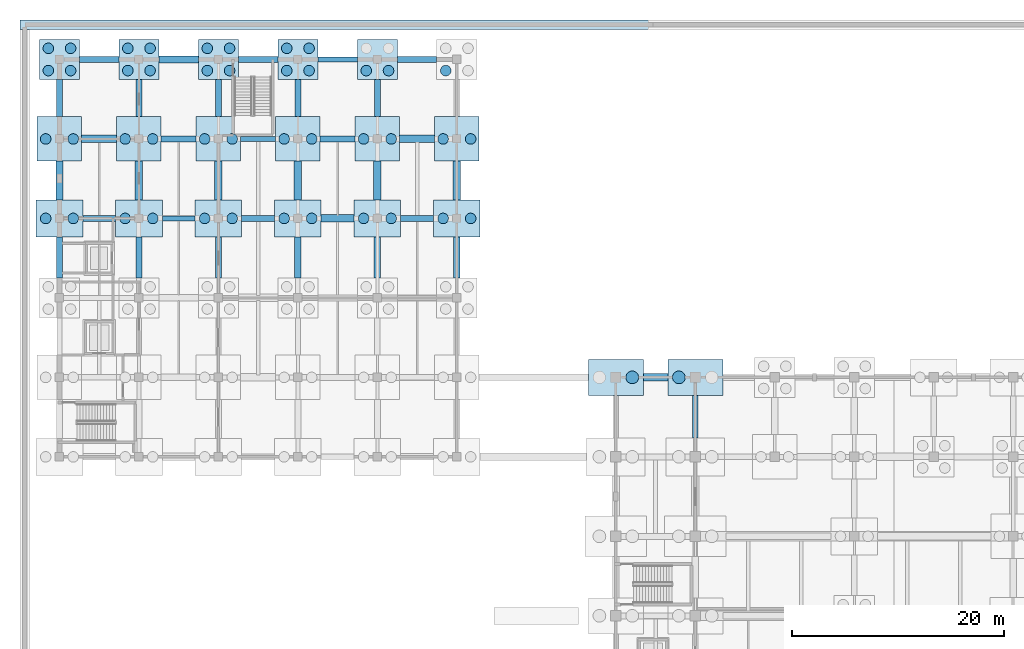
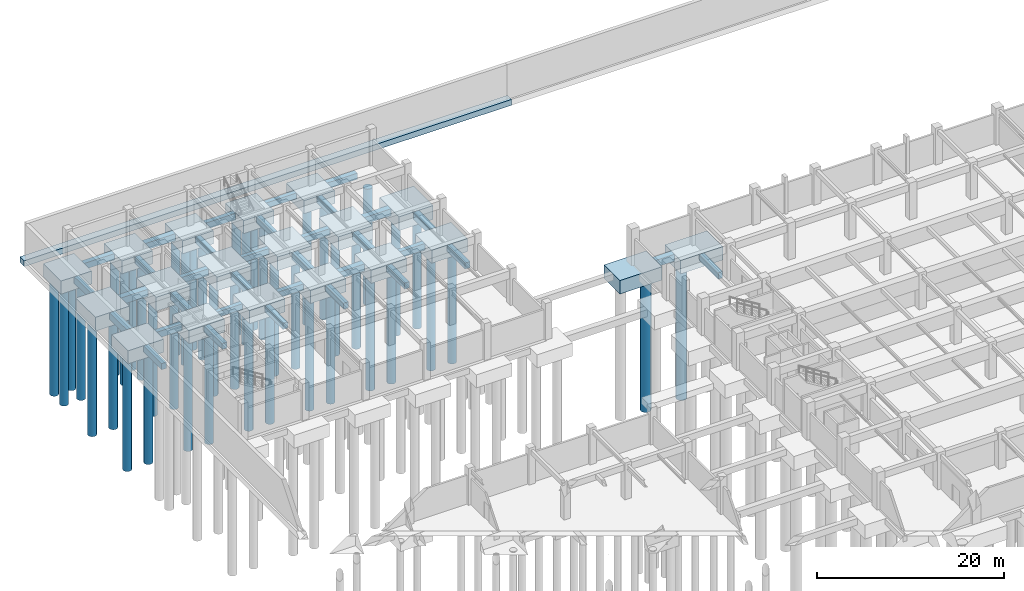
# One storey, part 7 of 38: 54 footings, 45 piles.
"""IFC4 building model written with IfcOpenShell, lengths in metres."""

from ifc_helpers import new_model, si_unit, direction, frame, origin, origin_2d, place, context, subcontext, project, spatial, polyline, rectangle, circle, outline, extrude, material, material_profile, profile_set, type_object, element, save


model = new_model("IFC4")

# Units and contexts
model_context = context("Model", 3, precision=1e-05, world=origin(), true_north=direction((0.0, 1.0)))
body_context = subcontext(model_context, "Body", "Model", "MODEL_VIEW")
ifc_project = project(units=[si_unit("LENGTHUNIT", "METRE"), si_unit("AREAUNIT", "SQUARE_METRE"), si_unit("VOLUMEUNIT", "CUBIC_METRE"), si_unit("PLANEANGLEUNIT", "RADIAN"), si_unit("MASSUNIT", "GRAM", prefix="KILO")], contexts=[model_context])

# Site, building, storey
site_placement = place(None, origin())
site = spatial("IfcSite", under=ifc_project, at=site_placement, CompositionType="ELEMENT")
building_placement = place(site_placement, origin())
building = spatial("IfcBuilding", under=site, at=building_placement, Name="Qasida Concert Hall", CompositionType="ELEMENT")
storey_placement = place(building_placement, frame((0.0, 0.0, -4.800048828125)))
storey = spatial("IfcBuildingStorey", under=building, at=storey_placement, Name="B1", CompositionType="ELEMENT", Elevation=-4.800048828125)

# Footings
ifc_material = material(Name="Concrete C40/50", Category="concrete")
footing_type_1 = type_object("IfcFootingType", Name="FT-GB-1", PredefinedType="FOOTING_BEAM", material=ifc_material)
footing_1_placement = place(storey_placement, frame((0.0, 0.0, -1.169921875)))
element("IfcFooting", 1, at=footing_1_placement, inside=storey, type_object=footing_type_1, Name="Ground tie beam GB-1 152", PredefinedType="FOOTING_BEAM", context=body_context, shape_type="SweptSolid", body=[
    extrude(outline(polyline([(9.699951171875, 97.25), (12.800048828125, 97.25), (12.800048828125, 97.75), (9.699951171875, 97.75), (9.699951171875, 97.25)])), origin(), (0.0, 0.0, 1.0), 0.75),
])
footing_2_placement = place(storey_placement, frame((0.0, 0.0, -1.169921875)))
element("IfcFooting", 2, at=footing_2_placement, inside=storey, type_object=footing_type_1, Name="Ground tie beam GB-1 164", PredefinedType="FOOTING_BEAM", context=body_context, shape_type="SweptSolid", body=[
    extrude(outline(polyline([(17.10009765625, 104.75), (20.39990234375, 104.75), (20.39990234375, 105.25), (17.10009765625, 105.25), (17.10009765625, 104.75)])), origin(), (0.0, 0.0, 1.0), 0.75),
])
footing_3_placement = place(storey_placement, frame((0.0, 0.0, -1.169921875)))
element("IfcFooting", 3, at=footing_3_placement, inside=storey, type_object=footing_type_1, Name="Ground tie beam GB-1 176", PredefinedType="FOOTING_BEAM", context=body_context, shape_type="SweptSolid", body=[
    extrude(outline(polyline([(24.39990234375, 112.25), (28.10009765625, 112.25), (28.10009765625, 112.75), (24.39990234375, 112.75), (24.39990234375, 112.25)])), origin(), (0.0, 0.0, 1.0), 0.75),
])
footing_type_2 = type_object("IfcFootingType", Name="FT-GB-2", PredefinedType="FOOTING_BEAM", material=ifc_material)
footing_4_placement = place(storey_placement, frame((0.0, 0.0, -1.219970703125)))
element("IfcFooting", 4, at=footing_4_placement, inside=storey, type_object=footing_type_2, Name="Ground tie beam GB-2 153", PredefinedType="FOOTING_BEAM", context=body_context, shape_type="SweptSolid", body=[
    extrude(outline(polyline([(17.199951171875, 97.199951171875), (20.300048828125, 97.199951171875), (20.300048828125, 97.800048828125), (17.199951171875, 97.800048828125), (17.199951171875, 97.199951171875)])), origin(), (0.0, 0.0, 1.0), 0.800048828125),
])
footing_5_placement = place(storey_placement, frame((0.0, 0.0, -1.219970703125)))
element("IfcFooting", 5, at=footing_5_placement, inside=storey, type_object=footing_type_2, Name="Ground tie beam GB-2 165", PredefinedType="FOOTING_BEAM", context=body_context, shape_type="SweptSolid", body=[
    extrude(outline(polyline([(24.60009765625, 104.699951171875), (27.89990234375, 104.699951171875), (27.89990234375, 105.300048828125), (24.60009765625, 105.300048828125), (24.60009765625, 104.699951171875)])), origin(), (0.0, 0.0, 1.0), 0.800048828125),
])
footing_6_placement = place(storey_placement, frame((0.0, 0.0, -1.219970703125)))
element("IfcFooting", 6, at=footing_6_placement, inside=storey, type_object=footing_type_2, Name="Ground tie beam GB-2 173", PredefinedType="FOOTING_BEAM", context=body_context, shape_type="SweptSolid", body=[
    extrude(outline(polyline([(1.89990234375, 112.199951171875), (5.60009765625, 112.199951171875), (5.60009765625, 112.800048828125), (1.89990234375, 112.800048828125), (1.89990234375, 112.199951171875)])), origin(), (0.0, 0.0, 1.0), 0.800048828125),
])
footing_7_placement = place(storey_placement, frame((0.0, 0.0, -1.219970703125)))
element("IfcFooting", 7, at=footing_7_placement, inside=storey, type_object=footing_type_2, Name="Ground tie beam GB-2 177", PredefinedType="FOOTING_BEAM", context=body_context, shape_type="SweptSolid", body=[
    extrude(outline(polyline([(31.89990234375, 112.199951171875), (35.60009765625, 112.199951171875), (35.60009765625, 112.800048828125), (31.89990234375, 112.800048828125), (31.89990234375, 112.199951171875)])), origin(), (0.0, 0.0, 1.0), 0.800048828125),
])
footing_8_placement = place(storey_placement, frame((0.0, 0.0, -1.219970703125)))
element("IfcFooting", 8, at=footing_8_placement, inside=storey, type_object=footing_type_2, Name="Ground tie beam GB-2 193", PredefinedType="FOOTING_BEAM", context=body_context, shape_type="SweptSolid", body=[
    extrude(outline(polyline([(-0.300048828125, 91.89990234375), (0.300048828125, 91.89990234375), (0.300048828125, 95.75), (-0.300048828125, 95.75), (-0.300048828125, 91.89990234375)])), origin(), (0.0, 0.0, 1.0), 0.800048828125),
])
footing_9_placement = place(storey_placement, frame((0.0, 0.0, -1.219970703125)))
element("IfcFooting", 9, at=footing_9_placement, inside=storey, type_object=footing_type_2, Name="Ground tie beam GB-2 205", PredefinedType="FOOTING_BEAM", context=body_context, shape_type="SweptSolid", body=[
    extrude(outline(polyline([(7.199951171875, 91.89990234375), (7.800048828125, 91.89990234375), (7.800048828125, 95.75), (7.199951171875, 95.75), (7.199951171875, 91.89990234375)])), origin(), (0.0, 0.0, 1.0), 0.800048828125),
])
footing_10_placement = place(storey_placement, frame((0.0, 0.0, -1.219970703125)))
element("IfcFooting", 10, at=footing_10_placement, inside=storey, type_object=footing_type_2, Name="Ground tie beam GB-2 217", PredefinedType="FOOTING_BEAM", context=body_context, shape_type="SweptSolid", body=[
    extrude(outline(polyline([(14.699951171875, 91.89990234375), (15.300048828125, 91.89990234375), (15.300048828125, 95.75), (14.699951171875, 95.75), (14.699951171875, 91.89990234375)])), origin(), (0.0, 0.0, 1.0), 0.800048828125),
])
footing_11_placement = place(storey_placement, frame((0.0, 0.0, -1.219970703125)))
element("IfcFooting", 11, at=footing_11_placement, inside=storey, type_object=footing_type_2, Name="Ground tie beam GB-2 229", PredefinedType="FOOTING_BEAM", context=body_context, shape_type="SweptSolid", body=[
    extrude(outline(polyline([(22.199951171875, 91.89990234375), (22.800048828125, 91.89990234375), (22.800048828125, 95.75), (22.199951171875, 95.75), (22.199951171875, 91.89990234375)])), origin(), (0.0, 0.0, 1.0), 0.800048828125),
])
footing_12_placement = place(storey_placement, frame((0.0, 0.0, -1.219970703125)))
element("IfcFooting", 12, at=footing_12_placement, inside=storey, type_object=footing_type_2, Name="Ground tie beam GB-2 241", PredefinedType="FOOTING_BEAM", context=body_context, shape_type="SweptSolid", body=[
    extrude(outline(polyline([(29.699951171875, 91.89990234375), (30.300048828125, 91.89990234375), (30.300048828125, 95.75), (29.699951171875, 95.75), (29.699951171875, 91.89990234375)])), origin(), (0.0, 0.0, 1.0), 0.800048828125),
])
footing_13_placement = place(storey_placement, frame((0.0, 0.0, -1.219970703125)))
element("IfcFooting", 13, at=footing_13_placement, inside=storey, type_object=footing_type_2, Name="Ground tie beam GB-2 253", PredefinedType="FOOTING_BEAM", context=body_context, shape_type="SweptSolid", body=[
    extrude(outline(polyline([(37.199951171875, 91.89990234375), (37.800048828125, 91.89990234375), (37.800048828125, 95.75), (37.199951171875, 95.75), (37.199951171875, 91.89990234375)])), origin(), (0.0, 0.0, 1.0), 0.800048828125),
])
footing_type_3 = type_object("IfcFootingType", Name="FT-GB-3", PredefinedType="FOOTING_BEAM", material=ifc_material)
footing_14_placement = place(storey_placement, frame((0.0, 0.0, -1.320068359375)))
element("IfcFooting", 14, at=footing_14_placement, inside=storey, type_object=footing_type_3, Name="Ground tie beam GB-3 126", PredefinedType="FOOTING_BEAM", context=body_context, shape_type="SweptSolid", body=[
    extrude(outline(polyline([(55.10009765625, 82.14990234375), (57.39990234375, 82.14990234375), (57.39990234375, 82.85009765625), (55.10009765625, 82.85009765625), (55.10009765625, 82.14990234375)])), origin(), (0.0, 0.0, 1.0), 0.900146484375),
])
footing_15_placement = place(storey_placement, frame((0.0, 0.0, -1.320068359375)))
element("IfcFooting", 15, at=footing_15_placement, inside=storey, type_object=footing_type_3, Name="Ground tie beam GB-3 154", PredefinedType="FOOTING_BEAM", context=body_context, shape_type="SweptSolid", body=[
    extrude(outline(polyline([(24.699951171875, 97.14990234375), (27.800048828125, 97.14990234375), (27.800048828125, 97.85009765625), (24.699951171875, 97.85009765625), (24.699951171875, 97.14990234375)])), origin(), (0.0, 0.0, 1.0), 0.900146484375),
])
footing_16_placement = place(storey_placement, frame((0.0, 0.0, -1.320068359375)))
element("IfcFooting", 16, at=footing_16_placement, inside=storey, type_object=footing_type_3, Name="Ground tie beam GB-3 162", PredefinedType="FOOTING_BEAM", context=body_context, shape_type="SweptSolid", body=[
    extrude(outline(polyline([(2.10009765625, 104.64990234375), (5.39990234375, 104.64990234375), (5.39990234375, 105.35009765625), (2.10009765625, 105.35009765625), (2.10009765625, 104.64990234375)])), origin(), (0.0, 0.0, 1.0), 0.900146484375),
])
footing_17_placement = place(storey_placement, frame((0.0, 0.0, -1.320068359375)))
element("IfcFooting", 17, at=footing_17_placement, inside=storey, type_object=footing_type_3, Name="Ground tie beam GB-3 166", PredefinedType="FOOTING_BEAM", context=body_context, shape_type="SweptSolid", body=[
    extrude(outline(polyline([(32.10009765625, 104.64990234375), (35.39990234375, 104.64990234375), (35.39990234375, 105.35009765625), (32.10009765625, 105.35009765625), (32.10009765625, 104.64990234375)])), origin(), (0.0, 0.0, 1.0), 0.900146484375),
])
footing_18_placement = place(storey_placement, frame((0.0, 0.0, -1.320068359375)))
element("IfcFooting", 18, at=footing_18_placement, inside=storey, type_object=footing_type_3, Name="Ground tie beam GB-3 174", PredefinedType="FOOTING_BEAM", context=body_context, shape_type="SweptSolid", body=[
    extrude(outline(polyline([(9.39990234375, 112.14990234375), (13.10009765625, 112.14990234375), (13.10009765625, 112.85009765625), (9.39990234375, 112.85009765625), (9.39990234375, 112.14990234375)])), origin(), (0.0, 0.0, 1.0), 0.900146484375),
])
footing_19_placement = place(storey_placement, frame((0.0, 0.0, -1.320068359375)))
element("IfcFooting", 19, at=footing_19_placement, inside=storey, type_object=footing_type_3, Name="Ground tie beam GB-3 194", PredefinedType="FOOTING_BEAM", context=body_context, shape_type="SweptSolid", body=[
    extrude(outline(polyline([(-0.35009765625, 99.25), (0.35009765625, 99.25), (0.35009765625, 102.89990234375), (-0.35009765625, 102.89990234375), (-0.35009765625, 99.25)])), origin(), (0.0, 0.0, 1.0), 0.900146484375),
])
footing_20_placement = place(storey_placement, frame((0.0, 0.0, -1.320068359375)))
element("IfcFooting", 20, at=footing_20_placement, inside=storey, type_object=footing_type_3, Name="Ground tie beam GB-3 206", PredefinedType="FOOTING_BEAM", context=body_context, shape_type="SweptSolid", body=[
    extrude(outline(polyline([(7.14990234375, 99.25), (7.85009765625, 99.25), (7.85009765625, 102.89990234375), (7.14990234375, 102.89990234375), (7.14990234375, 99.25)])), origin(), (0.0, 0.0, 1.0), 0.900146484375),
])
footing_21_placement = place(storey_placement, frame((0.0, 0.0, -1.320068359375)))
element("IfcFooting", 21, at=footing_21_placement, inside=storey, type_object=footing_type_3, Name="Ground tie beam GB-3 218", PredefinedType="FOOTING_BEAM", context=body_context, shape_type="SweptSolid", body=[
    extrude(outline(polyline([(14.64990234375, 99.25), (15.35009765625, 99.25), (15.35009765625, 102.89990234375), (14.64990234375, 102.89990234375), (14.64990234375, 99.25)])), origin(), (0.0, 0.0, 1.0), 0.900146484375),
])
footing_22_placement = place(storey_placement, frame((0.0, 0.0, -1.320068359375)))
element("IfcFooting", 22, at=footing_22_placement, inside=storey, type_object=footing_type_3, Name="Ground tie beam GB-3 230", PredefinedType="FOOTING_BEAM", context=body_context, shape_type="SweptSolid", body=[
    extrude(outline(polyline([(22.14990234375, 99.25), (22.85009765625, 99.25), (22.85009765625, 102.89990234375), (22.14990234375, 102.89990234375), (22.14990234375, 99.25)])), origin(), (0.0, 0.0, 1.0), 0.900146484375),
])
footing_23_placement = place(storey_placement, frame((0.0, 0.0, -1.320068359375)))
element("IfcFooting", 23, at=footing_23_placement, inside=storey, type_object=footing_type_3, Name="Ground tie beam GB-3 242", PredefinedType="FOOTING_BEAM", context=body_context, shape_type="SweptSolid", body=[
    extrude(outline(polyline([(29.64990234375, 99.25), (30.35009765625, 99.25), (30.35009765625, 102.89990234375), (29.64990234375, 102.89990234375), (29.64990234375, 99.25)])), origin(), (0.0, 0.0, 1.0), 0.900146484375),
])
footing_24_placement = place(storey_placement, frame((0.0, 0.0, -1.320068359375)))
element("IfcFooting", 24, at=footing_24_placement, inside=storey, type_object=footing_type_3, Name="Ground tie beam GB-3 254", PredefinedType="FOOTING_BEAM", context=body_context, shape_type="SweptSolid", body=[
    extrude(outline(polyline([(37.14990234375, 99.25), (37.85009765625, 99.25), (37.85009765625, 102.89990234375), (37.14990234375, 102.89990234375), (37.14990234375, 99.25)])), origin(), (0.0, 0.0, 1.0), 0.900146484375),
])
footing_type_4 = type_object("IfcFootingType", Name="FT-GB-4", PredefinedType="FOOTING_BEAM", material=ifc_material)
footing_25_placement = place(storey_placement, frame((0.0, 0.0, -1.27001953125)))
element("IfcFooting", 25, at=footing_25_placement, inside=storey, type_object=footing_type_4, Name="Ground tie beam GB-4 151", PredefinedType="FOOTING_BEAM", context=body_context, shape_type="SweptSolid", body=[
    extrude(outline(polyline([(2.199951171875, 97.22509765625), (5.300048828125, 97.22509765625), (5.300048828125, 97.77490234375), (2.199951171875, 97.77490234375), (2.199951171875, 97.22509765625)])), origin(), (0.0, 0.0, 1.0), 0.85009765625),
])
footing_26_placement = place(storey_placement, frame((0.0, 0.0, -1.27001953125)))
element("IfcFooting", 26, at=footing_26_placement, inside=storey, type_object=footing_type_4, Name="Ground tie beam GB-4 155", PredefinedType="FOOTING_BEAM", context=body_context, shape_type="SweptSolid", body=[
    extrude(outline(polyline([(32.199951171875, 97.22509765625), (35.300048828125, 97.22509765625), (35.300048828125, 97.77490234375), (32.199951171875, 97.77490234375), (32.199951171875, 97.22509765625)])), origin(), (0.0, 0.0, 1.0), 0.85009765625),
])
footing_27_placement = place(storey_placement, frame((0.0, 0.0, -1.27001953125)))
element("IfcFooting", 27, at=footing_27_placement, inside=storey, type_object=footing_type_4, Name="Ground tie beam GB-4 163", PredefinedType="FOOTING_BEAM", context=body_context, shape_type="SweptSolid", body=[
    extrude(outline(polyline([(9.60009765625, 104.72509765625), (12.89990234375, 104.72509765625), (12.89990234375, 105.27490234375), (9.60009765625, 105.27490234375), (9.60009765625, 104.72509765625)])), origin(), (0.0, 0.0, 1.0), 0.85009765625),
])
footing_28_placement = place(storey_placement, frame((0.0, 0.0, -1.27001953125)))
element("IfcFooting", 28, at=footing_28_placement, inside=storey, type_object=footing_type_4, Name="Ground tie beam GB-4 175", PredefinedType="FOOTING_BEAM", context=body_context, shape_type="SweptSolid", body=[
    extrude(outline(polyline([(16.89990234375, 112.22509765625), (20.60009765625, 112.22509765625), (20.60009765625, 112.77490234375), (16.89990234375, 112.77490234375), (16.89990234375, 112.22509765625)])), origin(), (0.0, 0.0, 1.0), 0.85009765625),
])
footing_29_placement = place(storey_placement, frame((0.0, 0.0, -1.27001953125)))
element("IfcFooting", 29, at=footing_29_placement, inside=storey, type_object=footing_type_4, Name="Ground tie beam GB-4 195", PredefinedType="FOOTING_BEAM", context=body_context, shape_type="SweptSolid", body=[
    extrude(outline(polyline([(-0.27490234375, 107.10009765625), (0.27490234375, 107.10009765625), (0.27490234375, 110.60009765625), (-0.27490234375, 110.60009765625), (-0.27490234375, 107.10009765625)])), origin(), (0.0, 0.0, 1.0), 0.85009765625),
])
footing_30_placement = place(storey_placement, frame((0.0, 0.0, -1.27001953125)))
element("IfcFooting", 30, at=footing_30_placement, inside=storey, type_object=footing_type_4, Name="Ground tie beam GB-4 207", PredefinedType="FOOTING_BEAM", context=body_context, shape_type="SweptSolid", body=[
    extrude(outline(polyline([(7.22509765625, 107.10009765625), (7.77490234375, 107.10009765625), (7.77490234375, 110.60009765625), (7.22509765625, 110.60009765625), (7.22509765625, 107.10009765625)])), origin(), (0.0, 0.0, 1.0), 0.85009765625),
])
footing_31_placement = place(storey_placement, frame((0.0, 0.0, -1.27001953125)))
element("IfcFooting", 31, at=footing_31_placement, inside=storey, type_object=footing_type_4, Name="Ground tie beam GB-4 219", PredefinedType="FOOTING_BEAM", context=body_context, shape_type="SweptSolid", body=[
    extrude(outline(polyline([(14.72509765625, 107.10009765625), (15.27490234375, 107.10009765625), (15.27490234375, 110.60009765625), (14.72509765625, 110.60009765625), (14.72509765625, 107.10009765625)])), origin(), (0.0, 0.0, 1.0), 0.85009765625),
])
footing_32_placement = place(storey_placement, frame((0.0, 0.0, -1.27001953125)))
element("IfcFooting", 32, at=footing_32_placement, inside=storey, type_object=footing_type_4, Name="Ground tie beam GB-4 231", PredefinedType="FOOTING_BEAM", context=body_context, shape_type="SweptSolid", body=[
    extrude(outline(polyline([(22.22509765625, 107.10009765625), (22.77490234375, 107.10009765625), (22.77490234375, 110.60009765625), (22.22509765625, 110.60009765625), (22.22509765625, 107.10009765625)])), origin(), (0.0, 0.0, 1.0), 0.85009765625),
])
footing_33_placement = place(storey_placement, frame((0.0, 0.0, -1.27001953125)))
element("IfcFooting", 33, at=footing_33_placement, inside=storey, type_object=footing_type_4, Name="Ground tie beam GB-4 243", PredefinedType="FOOTING_BEAM", context=body_context, shape_type="SweptSolid", body=[
    extrude(outline(polyline([(29.72509765625, 107.10009765625), (30.27490234375, 107.10009765625), (30.27490234375, 110.60009765625), (29.72509765625, 110.60009765625), (29.72509765625, 107.10009765625)])), origin(), (0.0, 0.0, 1.0), 0.85009765625),
])
footing_34_placement = place(storey_placement, frame((0.0, 0.0, -1.27001953125)))
element("IfcFooting", 34, at=footing_34_placement, inside=storey, type_object=footing_type_4, Name="Ground tie beam GB-4 271", PredefinedType="FOOTING_BEAM", context=body_context, shape_type="SweptSolid", body=[
    extrude(outline(polyline([(59.72509765625, 76.800048828125), (60.27490234375, 76.800048828125), (60.27490234375, 80.800048828125), (59.72509765625, 80.800048828125), (59.72509765625, 76.800048828125)])), origin(), (0.0, 0.0, 1.0), 0.85009765625),
])
footing_type_5 = type_object("IfcFootingType", Name="FT-PC-4C", PredefinedType="PILE_CAP", material=ifc_material)
for number, where, z_axis, x_axis, name in (
    (35, (0.0, 112.5, -2.1201171875), (0.0, 0.0, 1.0), (1.0, 0.0, 0.0), "Pile cap PC-4C 184"),
    (36, (7.5, 112.5, -2.1201171875), (0.0, 0.0, 1.0), (1.0, 0.0, 0.0), "Pile cap PC-4C 190"),
    (37, (15.0, 112.5, -2.1201171875), (0.0, 0.0, 1.0), (1.0, 0.0, 0.0), "Pile cap PC-4C 196"),
    (38, (22.5, 112.5, -2.1201171875), (0.0, 0.0, 1.0), (1.0, 0.0, 0.0), "Pile cap PC-4C 202"),
    (39, (30.0, 112.5, -2.1201171875), (0.0, 0.0, 1.0), (1.0, 0.0, 0.0), "Pile cap PC-4C 208"),
):
    element("IfcFooting", number, at=place(storey_placement, frame(where, z_axis=z_axis, x_axis=x_axis)), inside=storey, type_object=footing_type_5, Name=name, PredefinedType="PILE_CAP", context=body_context, shape_type="SweptSolid", body=[
        extrude(rectangle(XDim=3.800048828125, YDim=3.800048828125, at=origin_2d()), origin(), (0.0, 0.0, 1.0), 1.699951171875),
    ])
footing_type_6 = type_object("IfcFootingType", Name="FT-PC-4D", PredefinedType="PILE_CAP", material=ifc_material)
for number, where, z_axis, x_axis, name in (
    (40, (0.0, 105.0, -2.22021484375), (0.0, 0.0, 1.0), (1.0, 0.0, 0.0), "Pile cap PC-4D 183"),
    (41, (7.5, 105.0, -2.22021484375), (0.0, 0.0, 1.0), (1.0, 0.0, 0.0), "Pile cap PC-4D 189"),
    (42, (15.0, 105.0, -2.22021484375), (0.0, 0.0, 1.0), (1.0, 0.0, 0.0), "Pile cap PC-4D 195"),
    (43, (22.5, 105.0, -2.22021484375), (0.0, 0.0, 1.0), (1.0, 0.0, 0.0), "Pile cap PC-4D 201"),
    (44, (30.0, 105.0, -2.22021484375), (0.0, 0.0, 1.0), (1.0, 0.0, 0.0), "Pile cap PC-4D 207"),
    (45, (37.5, 105.0, -2.22021484375), (0.0, 0.0, 1.0), (1.0, 0.0, 0.0), "Pile cap PC-4D 213"),
):
    element("IfcFooting", number, at=place(storey_placement, frame(where, z_axis=z_axis, x_axis=x_axis)), inside=storey, type_object=footing_type_6, Name=name, PredefinedType="PILE_CAP", context=body_context, shape_type="SweptSolid", body=[
        extrude(rectangle(XDim=4.199951171875, YDim=4.199951171875, at=origin_2d()), origin(), (0.0, 0.0, 1.0), 1.800048828125),
    ])
footing_type_7 = type_object("IfcFootingType", Name="FT-PC-4F", PredefinedType="PILE_CAP", material=ifc_material)
for number, where, z_axis, x_axis, name in (
    (46, (0.0, 97.5, -2.1201171875), (0.0, 0.0, 1.0), (1.0, 0.0, 0.0), "Pile cap PC-4F 182"),
    (47, (7.5, 97.5, -2.1201171875), (0.0, 0.0, 1.0), (1.0, 0.0, 0.0), "Pile cap PC-4F 188"),
    (48, (15.0, 97.5, -2.1201171875), (0.0, 0.0, 1.0), (1.0, 0.0, 0.0), "Pile cap PC-4F 194"),
    (49, (22.5, 97.5, -2.1201171875), (0.0, 0.0, 1.0), (1.0, 0.0, 0.0), "Pile cap PC-4F 200"),
    (50, (30.0, 97.5, -2.1201171875), (0.0, 0.0, 1.0), (1.0, 0.0, 0.0), "Pile cap PC-4F 206"),
    (51, (37.5, 97.5, -2.1201171875), (0.0, 0.0, 1.0), (1.0, 0.0, 0.0), "Pile cap PC-4F 212"),
):
    element("IfcFooting", number, at=place(storey_placement, frame(where, z_axis=z_axis, x_axis=x_axis)), inside=storey, type_object=footing_type_7, Name=name, PredefinedType="PILE_CAP", context=body_context, shape_type="SweptSolid", body=[
        extrude(rectangle(XDim=4.39990234375, YDim=3.5, at=origin_2d()), origin(), (0.0, 0.0, 1.0), 1.699951171875),
    ])
footing_type_8 = type_object("IfcFootingType", Name="FT-PC-6A", PredefinedType="PILE_CAP", material=ifc_material)
for number, where, z_axis, x_axis, name in (
    (52, (52.5, 82.5, -2.169921875), (0.0, 0.0, 1.0), (1.0, 0.0, 0.0), "Pile cap PC-6A 009"),
    (53, (60.0, 82.5, -2.169921875), (0.0, 0.0, 1.0), (1.0, 0.0, 0.0), "Pile cap PC-6A 018"),
):
    element("IfcFooting", number, at=place(storey_placement, frame(where, z_axis=z_axis, x_axis=x_axis)), inside=storey, type_object=footing_type_8, Name=name, PredefinedType="PILE_CAP", context=body_context, shape_type="SweptSolid", body=[
        extrude(rectangle(XDim=5.199951171875, YDim=3.39990234375, at=origin_2d()), origin(), (0.0, 0.0, 1.0), 1.75),
    ])
footing_type_9 = type_object("IfcFootingType", Name="FT-SF-2A", PredefinedType="STRIP_FOOTING", material=ifc_material)
footing_35_placement = place(storey_placement, frame((0.0, 0.0, -0.75)))
element("IfcFooting", 54, at=footing_35_placement, inside=storey, type_object=footing_type_9, Name="B1 plaza plinth strip footing PLW-N1", PredefinedType="STRIP_FOOTING", context=body_context, shape_type="SweptSolid", body=[
    extrude(outline(polyline([(-3.72509765625, 115.324951171875), (56.449951171875, 115.324951171875), (56.449951171875, 116.22509765625), (-3.72509765625, 116.22509765625), (-3.72509765625, 115.324951171875)])), origin(), (0.0, 0.0, 1.0), 0.75),
])

# Piles
ifc_material_profile_1 = material_profile(ifc_material, circle(Radius=0.5, at=origin_2d()), Name="BORED PILE D1000")
ifc_profile_set_1 = profile_set([ifc_material_profile_1], Name="Concrete C40/50")
pile_type_1 = type_object("IfcPileType", Name="PL-BORED-1000", PredefinedType="BORED", material=ifc_profile_set_1)
for number, where, z_axis, x_axis, name in (
    (55, (-1.300048828125, 97.5, -2.02001953125), (0.0, 0.0, -1.0), (1.0, 0.0, 0.0), "Bored pile 0417"),
    (56, (1.300048828125, 97.5, -2.02001953125), (0.0, 0.0, -1.0), (1.0, 0.0, 0.0), "Bored pile 0418"),
):
    element("IfcPile", number, at=place(storey_placement, frame(where, z_axis=z_axis, x_axis=x_axis)), inside=storey, type_object=pile_type_1, Name=name, PredefinedType="BORED", context=body_context, shape_type="SweptSolid", body=[
        extrude(circle(Radius=0.5, at=origin_2d()), origin(), (0.0, 0.0, 1.0), 15.179931640625),
    ])
for number, where, z_axis, x_axis, name in (
    (57, (-1.300048828125, 105.0, -2.119873046875), (0.0, 0.0, -1.0), (1.0, 0.0, 0.0), "Bored pile 0419"),
    (58, (1.300048828125, 105.0, -2.119873046875), (0.0, 0.0, -1.0), (1.0, 0.0, 0.0), "Bored pile 0420"),
):
    element("IfcPile", number, at=place(storey_placement, frame(where, z_axis=z_axis, x_axis=x_axis)), inside=storey, type_object=pile_type_1, Name=name, PredefinedType="BORED", context=body_context, shape_type="SweptSolid", body=[
        extrude(circle(Radius=0.5, at=origin_2d()), origin(), (0.0, 0.0, 1.0), 15.080078125),
    ])
for number, where, z_axis, x_axis, name in (
    (59, (-1.050048828125, 111.449951171875, -2.02001953125), (0.0, 0.0, -1.0), (1.0, 0.0, 0.0), "Bored pile 0421"),
    (60, (1.050048828125, 111.449951171875, -2.02001953125), (0.0, 0.0, -1.0), (1.0, 0.0, 0.0), "Bored pile 0422"),
    (61, (-1.050048828125, 113.550048828125, -2.02001953125), (0.0, 0.0, -1.0), (1.0, 0.0, 0.0), "Bored pile 0423"),
    (62, (1.050048828125, 113.550048828125, -2.02001953125), (0.0, 0.0, -1.0), (1.0, 0.0, 0.0), "Bored pile 0424"),
    (63, (6.199951171875, 97.5, -2.02001953125), (0.0, 0.0, -1.0), (1.0, 0.0, 0.0), "Bored pile 0433"),
    (64, (8.800048828125, 97.5, -2.02001953125), (0.0, 0.0, -1.0), (1.0, 0.0, 0.0), "Bored pile 0434"),
):
    element("IfcPile", number, at=place(storey_placement, frame(where, z_axis=z_axis, x_axis=x_axis)), inside=storey, type_object=pile_type_1, Name=name, PredefinedType="BORED", context=body_context, shape_type="SweptSolid", body=[
        extrude(circle(Radius=0.5, at=origin_2d()), origin(), (0.0, 0.0, 1.0), 15.179931640625),
    ])
for number, where, z_axis, x_axis, name in (
    (65, (6.199951171875, 105.0, -2.119873046875), (0.0, 0.0, -1.0), (1.0, 0.0, 0.0), "Bored pile 0435"),
    (66, (8.800048828125, 105.0, -2.119873046875), (0.0, 0.0, -1.0), (1.0, 0.0, 0.0), "Bored pile 0436"),
):
    element("IfcPile", number, at=place(storey_placement, frame(where, z_axis=z_axis, x_axis=x_axis)), inside=storey, type_object=pile_type_1, Name=name, PredefinedType="BORED", context=body_context, shape_type="SweptSolid", body=[
        extrude(circle(Radius=0.5, at=origin_2d()), origin(), (0.0, 0.0, 1.0), 15.080078125),
    ])
for number, where, z_axis, x_axis, name in (
    (67, (6.449951171875, 111.449951171875, -2.02001953125), (0.0, 0.0, -1.0), (1.0, 0.0, 0.0), "Bored pile 0437"),
    (68, (8.550048828125, 111.449951171875, -2.02001953125), (0.0, 0.0, -1.0), (1.0, 0.0, 0.0), "Bored pile 0438"),
    (69, (6.449951171875, 113.550048828125, -2.02001953125), (0.0, 0.0, -1.0), (1.0, 0.0, 0.0), "Bored pile 0439"),
    (70, (8.550048828125, 113.550048828125, -2.02001953125), (0.0, 0.0, -1.0), (1.0, 0.0, 0.0), "Bored pile 0440"),
    (71, (13.699951171875, 97.5, -2.02001953125), (0.0, 0.0, -1.0), (1.0, 0.0, 0.0), "Bored pile 0449"),
    (72, (16.300048828125, 97.5, -2.02001953125), (0.0, 0.0, -1.0), (1.0, 0.0, 0.0), "Bored pile 0450"),
):
    element("IfcPile", number, at=place(storey_placement, frame(where, z_axis=z_axis, x_axis=x_axis)), inside=storey, type_object=pile_type_1, Name=name, PredefinedType="BORED", context=body_context, shape_type="SweptSolid", body=[
        extrude(circle(Radius=0.5, at=origin_2d()), origin(), (0.0, 0.0, 1.0), 15.179931640625),
    ])
for number, where, z_axis, x_axis, name in (
    (73, (13.699951171875, 105.0, -2.119873046875), (0.0, 0.0, -1.0), (1.0, 0.0, 0.0), "Bored pile 0451"),
    (74, (16.300048828125, 105.0, -2.119873046875), (0.0, 0.0, -1.0), (1.0, 0.0, 0.0), "Bored pile 0452"),
):
    element("IfcPile", number, at=place(storey_placement, frame(where, z_axis=z_axis, x_axis=x_axis)), inside=storey, type_object=pile_type_1, Name=name, PredefinedType="BORED", context=body_context, shape_type="SweptSolid", body=[
        extrude(circle(Radius=0.5, at=origin_2d()), origin(), (0.0, 0.0, 1.0), 15.080078125),
    ])
for number, where, z_axis, x_axis, name in (
    (75, (13.949951171875, 111.449951171875, -2.02001953125), (0.0, 0.0, -1.0), (1.0, 0.0, 0.0), "Bored pile 0453"),
    (76, (16.050048828125, 111.449951171875, -2.02001953125), (0.0, 0.0, -1.0), (1.0, 0.0, 0.0), "Bored pile 0454"),
    (77, (13.949951171875, 113.550048828125, -2.02001953125), (0.0, 0.0, -1.0), (1.0, 0.0, 0.0), "Bored pile 0455"),
    (78, (16.050048828125, 113.550048828125, -2.02001953125), (0.0, 0.0, -1.0), (1.0, 0.0, 0.0), "Bored pile 0456"),
    (79, (21.199951171875, 97.5, -2.02001953125), (0.0, 0.0, -1.0), (1.0, 0.0, 0.0), "Bored pile 0465"),
    (80, (23.800048828125, 97.5, -2.02001953125), (0.0, 0.0, -1.0), (1.0, 0.0, 0.0), "Bored pile 0466"),
):
    element("IfcPile", number, at=place(storey_placement, frame(where, z_axis=z_axis, x_axis=x_axis)), inside=storey, type_object=pile_type_1, Name=name, PredefinedType="BORED", context=body_context, shape_type="SweptSolid", body=[
        extrude(circle(Radius=0.5, at=origin_2d()), origin(), (0.0, 0.0, 1.0), 15.179931640625),
    ])
for number, where, z_axis, x_axis, name in (
    (81, (21.199951171875, 105.0, -2.119873046875), (0.0, 0.0, -1.0), (1.0, 0.0, 0.0), "Bored pile 0467"),
    (82, (23.800048828125, 105.0, -2.119873046875), (0.0, 0.0, -1.0), (1.0, 0.0, 0.0), "Bored pile 0468"),
):
    element("IfcPile", number, at=place(storey_placement, frame(where, z_axis=z_axis, x_axis=x_axis)), inside=storey, type_object=pile_type_1, Name=name, PredefinedType="BORED", context=body_context, shape_type="SweptSolid", body=[
        extrude(circle(Radius=0.5, at=origin_2d()), origin(), (0.0, 0.0, 1.0), 15.080078125),
    ])
for number, where, z_axis, x_axis, name in (
    (83, (21.449951171875, 111.449951171875, -2.02001953125), (0.0, 0.0, -1.0), (1.0, 0.0, 0.0), "Bored pile 0469"),
    (84, (23.550048828125, 111.449951171875, -2.02001953125), (0.0, 0.0, -1.0), (1.0, 0.0, 0.0), "Bored pile 0470"),
    (85, (21.449951171875, 113.550048828125, -2.02001953125), (0.0, 0.0, -1.0), (1.0, 0.0, 0.0), "Bored pile 0471"),
    (86, (23.550048828125, 113.550048828125, -2.02001953125), (0.0, 0.0, -1.0), (1.0, 0.0, 0.0), "Bored pile 0472"),
    (87, (28.699951171875, 97.5, -2.02001953125), (0.0, 0.0, -1.0), (1.0, 0.0, 0.0), "Bored pile 0481"),
    (88, (31.300048828125, 97.5, -2.02001953125), (0.0, 0.0, -1.0), (1.0, 0.0, 0.0), "Bored pile 0482"),
):
    element("IfcPile", number, at=place(storey_placement, frame(where, z_axis=z_axis, x_axis=x_axis)), inside=storey, type_object=pile_type_1, Name=name, PredefinedType="BORED", context=body_context, shape_type="SweptSolid", body=[
        extrude(circle(Radius=0.5, at=origin_2d()), origin(), (0.0, 0.0, 1.0), 15.179931640625),
    ])
for number, where, z_axis, x_axis, name in (
    (89, (28.699951171875, 105.0, -2.119873046875), (0.0, 0.0, -1.0), (1.0, 0.0, 0.0), "Bored pile 0483"),
    (90, (31.300048828125, 105.0, -2.119873046875), (0.0, 0.0, -1.0), (1.0, 0.0, 0.0), "Bored pile 0484"),
):
    element("IfcPile", number, at=place(storey_placement, frame(where, z_axis=z_axis, x_axis=x_axis)), inside=storey, type_object=pile_type_1, Name=name, PredefinedType="BORED", context=body_context, shape_type="SweptSolid", body=[
        extrude(circle(Radius=0.5, at=origin_2d()), origin(), (0.0, 0.0, 1.0), 15.080078125),
    ])
for number, where, z_axis, x_axis, name in (
    (91, (28.949951171875, 111.449951171875, -2.02001953125), (0.0, 0.0, -1.0), (1.0, 0.0, 0.0), "Bored pile 0485"),
    (92, (31.050048828125, 111.449951171875, -2.02001953125), (0.0, 0.0, -1.0), (1.0, 0.0, 0.0), "Bored pile 0486"),
    (93, (36.199951171875, 97.5, -2.02001953125), (0.0, 0.0, -1.0), (1.0, 0.0, 0.0), "Bored pile 0497"),
    (94, (38.800048828125, 97.5, -2.02001953125), (0.0, 0.0, -1.0), (1.0, 0.0, 0.0), "Bored pile 0498"),
):
    element("IfcPile", number, at=place(storey_placement, frame(where, z_axis=z_axis, x_axis=x_axis)), inside=storey, type_object=pile_type_1, Name=name, PredefinedType="BORED", context=body_context, shape_type="SweptSolid", body=[
        extrude(circle(Radius=0.5, at=origin_2d()), origin(), (0.0, 0.0, 1.0), 15.179931640625),
    ])
for number, where, z_axis, x_axis, name in (
    (95, (36.199951171875, 105.0, -2.119873046875), (0.0, 0.0, -1.0), (1.0, 0.0, 0.0), "Bored pile 0499"),
    (96, (38.800048828125, 105.0, -2.119873046875), (0.0, 0.0, -1.0), (1.0, 0.0, 0.0), "Bored pile 0500"),
):
    element("IfcPile", number, at=place(storey_placement, frame(where, z_axis=z_axis, x_axis=x_axis)), inside=storey, type_object=pile_type_1, Name=name, PredefinedType="BORED", context=body_context, shape_type="SweptSolid", body=[
        extrude(circle(Radius=0.5, at=origin_2d()), origin(), (0.0, 0.0, 1.0), 15.080078125),
    ])
pile_placement = place(storey_placement, frame((36.449951171875, 111.449951171875, -2.02001953125), z_axis=(0.0, 0.0, -1.0), x_axis=(1.0, 0.0, 0.0)))
element("IfcPile", 97, at=pile_placement, inside=storey, type_object=pile_type_1, Name="Bored pile 0501", PredefinedType="BORED", context=body_context, shape_type="SweptSolid", body=[
    extrude(circle(Radius=0.5, at=origin_2d()), origin(), (0.0, 0.0, 1.0), 15.179931640625),
])
ifc_material_profile_2 = material_profile(ifc_material, circle(Radius=0.60009765625, at=origin_2d()), Name="BORED PILE D1200")
ifc_profile_set_2 = profile_set([ifc_material_profile_2], Name="Concrete C40/50")
pile_type_2 = type_object("IfcPileType", Name="PL-BORED-1200", PredefinedType="BORED", material=ifc_profile_set_2)
for number, where, z_axis, x_axis, name in (
    (98, (54.050048828125, 82.5, -2.070068359375), (0.0, 0.0, -1.0), (1.0, 0.0, 0.0), "Bored pile 0018"),
    (99, (58.449951171875, 82.5, -2.070068359375), (0.0, 0.0, -1.0), (1.0, 0.0, 0.0), "Bored pile 0035"),
):
    element("IfcPile", number, at=place(storey_placement, frame(where, z_axis=z_axis, x_axis=x_axis)), inside=storey, type_object=pile_type_2, Name=name, PredefinedType="BORED", context=body_context, shape_type="SweptSolid", body=[
        extrude(circle(Radius=0.60009765625, at=origin_2d()), origin(), (0.0, 0.0, 1.0), 17.6298828125),
    ])

save(model, "model.ifc")
